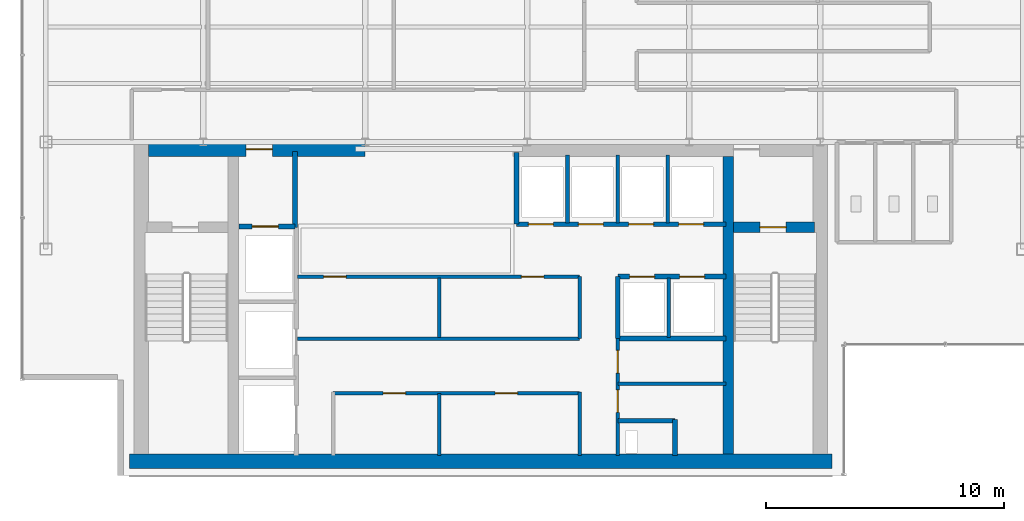
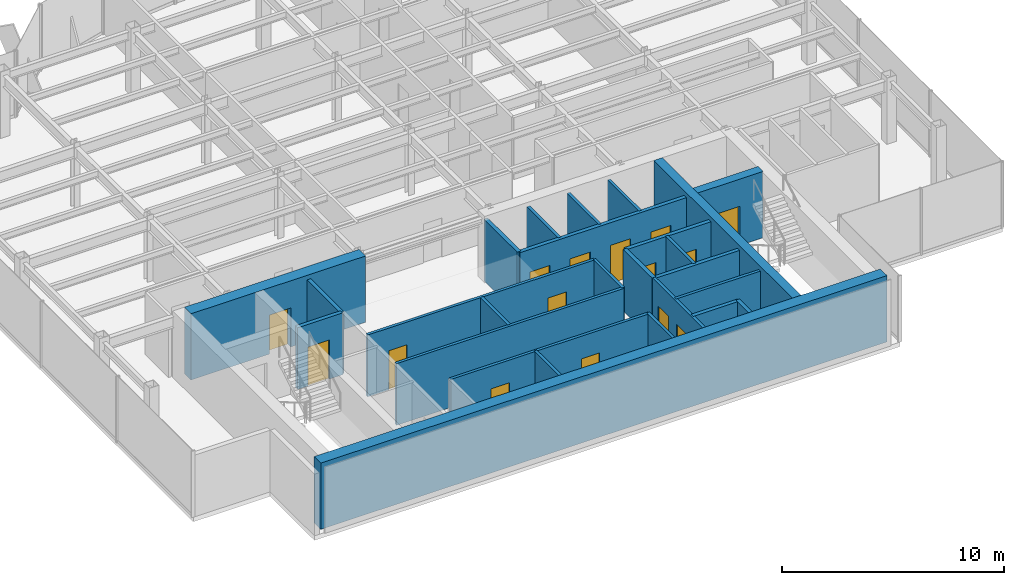
# One storey, part 17 of 22: 26 walls, 15 doors, 15 openings.
"""IFC4 building model written with IfcOpenShell, lengths in metres."""

from ifc_helpers import new_model, si_unit, derived_unit, direction, frame, frame_2d, origin, place, context, subcontext, project, spatial, rectangle, extrude, source, transform, mapped, material, layer, layer_set, type_object, element, fill, save


model = new_model("IFC4")

# Units and contexts
model_context = context("Model", 3, precision=1e-05, world=origin(), true_north=direction((0.0, 1.0)))
body_context = subcontext(model_context, "Body", "Model", "MODEL_VIEW")
ifc_project = project(units=[si_unit("LENGTHUNIT", "METRE"), si_unit("AREAUNIT", "SQUARE_METRE"), si_unit("VOLUMEUNIT", "CUBIC_METRE"), si_unit("PLANEANGLEUNIT", "RADIAN"), si_unit("MASSUNIT", "GRAM", prefix="KILO"), derived_unit("THERMALTRANSMITTANCEUNIT", [(si_unit("POWERUNIT", "WATT"), 1), (si_unit("LENGTHUNIT", "METRE"), -2), (si_unit("THERMODYNAMICTEMPERATUREUNIT", "KELVIN"), -1)])], contexts=[model_context])

# Site, building, storey
site_placement = place(None, origin())
site = spatial("IfcSite", under=ifc_project, at=site_placement, CompositionType="ELEMENT")
building_placement = place(site_placement, origin())
building = spatial("IfcBuilding", under=site, at=building_placement, Name="Skarnbrae Concourse Arena and Tower", CompositionType="ELEMENT")
storey_placement = place(building_placement, frame((0.0, 0.0, 217.800048828125)))
storey = spatial("IfcBuildingStorey", under=building, at=storey_placement, Name="L56", CompositionType="ELEMENT", Elevation=217.800048828125)

# Wall, opening, door
ifc_material_1 = material(Name="Concrete 50 MPa (C50/60)", Category="concrete")
ifc_layer_1 = layer(ifc_material_1, 0.449951171875)
ifc_layer_set_1 = layer_set([ifc_layer_1], Name="Concrete 50 MPa (C50/60)")
wall_type_1 = type_object("IfcWallType", Name="WALL-CORE-450-C50", PredefinedType="SHEAR", material=ifc_layer_set_1)
shared_shape_1 = source(origin(), body_context, "Body", "SweptSolid", [
    extrude(rectangle(XDim=3.389892578125, YDim=0.449951171875, at=frame_2d((1.69482421875, 0.0))), origin(), (0.0, 0.0, 1.0), 3.64990234375),
])
wall_1_placement = place(storey_placement, frame((29.860107421875, 10.419921875, 0.0), z_axis=(0.0, 0.0, 1.0), x_axis=(1.0, 0.0, 0.0)))
wall_1 = element("IfcWall", 1, at=wall_1_placement, inside=storey, type_object=wall_type_1, Name="L56 Rear core shear wall CW-ST2-N", PredefinedType="SHEAR", context=body_context, shape_type="MappedRepresentation", body=[
    mapped(shared_shape_1, transform((0.0, 0.0, 0.0))),
])
opening_1_placement = place(wall_1_placement, frame((1.10009765625, 0.0, 0.0)))
opening_1 = element("IfcOpeningElement", 2, at=opening_1_placement, cuts=wall_1, Name="Opening DT-03", PredefinedType="OPENING", context=body_context, shape_type="SweptSolid", body=[
    extrude(rectangle(XDim=1.10009765625, YDim=2.14990234375, at=frame_2d((0.550048828125, 1.074951171875))), frame((0.0, 0.23486328125, 0.0), z_axis=(0.0, -1.0, 0.0), x_axis=(1.0, 0.0, 0.0)), (0.0, 0.0, 1.0), 0.469970703125),
])
ifc_material_2 = material(Name="Steel CSA G40.21 350W", Category="steel")
door_type_1 = type_object("IfcDoorType", Name="DOOR-FIRE-1100-90M", OperationType="NOTDEFINED", PredefinedType="DOOR", material=ifc_material_2)
shared_shape_2 = source(origin(), body_context, "Body", "SweptSolid", [
    extrude(rectangle(XDim=1.10009765625, YDim=2.14990234375, at=frame_2d((0.550048828125, 1.074951171875))), frame((0.0, 0.02490234375, 0.0), z_axis=(0.0, -1.0, 0.0), x_axis=(1.0, 0.0, 0.0)), (0.0, 0.0, 1.0), 0.050048828125),
])
door_1_placement = place(opening_1_placement, frame((1.10009765625, 0.0, 0.0), z_axis=(0.0, 0.0, 1.0), x_axis=(-1.0, 0.0, 0.0)))
door_1 = element("IfcDoor", 3, at=door_1_placement, inside=storey, type_object=door_type_1, Name="D-1702 Stair ST-2 Door", OperationType="SINGLE_SWING_RIGHT", OverallHeight=2.14990234375, OverallWidth=1.10009765625, PredefinedType="DOOR", context=body_context, shape_type="MappedRepresentation", body=[
    mapped(shared_shape_2, transform((0.0, 0.0, 0.0))),
])
fill(opening_1, door_1)

# Wall
ifc_layer_2 = layer(ifc_material_1, 0.60009765625)
ifc_layer_set_2 = layer_set([ifc_layer_2], Name="Concrete 50 MPa (C50/60)")
wall_type_2 = type_object("IfcWallType", Name="WALL-CORE-600-C50", PredefinedType="SHEAR", material=ifc_layer_set_2)
shared_shape_3 = source(origin(), body_context, "Body", "SweptSolid", [
    extrude(rectangle(XDim=29.5, YDim=0.60009765625, at=frame_2d((14.75, 0.0))), origin(), (0.0, 0.0, 1.0), 3.64990234375),
])
wall_2_placement = place(storey_placement, frame((4.5, 0.60009765625, 0.0), z_axis=(0.0, 0.0, 1.0), x_axis=(1.0, 0.0, 0.0)))
element("IfcWall", 4, at=wall_2_placement, inside=storey, type_object=wall_type_2, Name="L56 Rear core shear wall CW-S", PredefinedType="SHEAR", context=body_context, shape_type="MappedRepresentation", body=[
    mapped(shared_shape_3, transform((0.0, 0.0, 0.0))),
])

# Wall, opening, door
shared_shape_4 = source(origin(), body_context, "Body", "SweptSolid", [
    extrude(rectangle(XDim=9.099853515625, YDim=0.60009765625, at=frame_2d((4.5498046875, 0.0))), origin(), (0.0, 0.0, 1.0), 3.64990234375),
])
wall_3_placement = place(storey_placement, frame((5.300048828125, 13.699951171875, 0.0), z_axis=(0.0, 0.0, 1.0), x_axis=(1.0, 0.0, 0.0)))
wall_3 = element("IfcWall", 5, at=wall_3_placement, inside=storey, type_object=wall_type_2, Name="L56 Rear core shear wall CW-NW", PredefinedType="SHEAR", context=body_context, shape_type="MappedRepresentation", body=[
    mapped(shared_shape_4, transform((0.0, 0.0, 0.0))),
])
opening_2_placement = place(wall_3_placement, frame((4.10009765625, 0.0, 0.0)))
opening_2 = element("IfcOpeningElement", 6, at=opening_2_placement, cuts=wall_3, Name="Opening DT-03", PredefinedType="OPENING", context=body_context, shape_type="SweptSolid", body=[
    extrude(rectangle(XDim=1.10009765625, YDim=2.14990234375, at=frame_2d((0.550048828125, 1.074951171875))), frame((0.0, 0.31005859375, 0.0), z_axis=(0.0, -1.0, 0.0), x_axis=(1.0, 0.0, 0.0)), (0.0, 0.0, 1.0), 0.6201171875),
])
door_2_placement = place(opening_2_placement, origin())
door_2 = element("IfcDoor", 7, at=door_2_placement, inside=storey, type_object=door_type_1, Name="D-1703 Firefighting Lobby Exit Door", OperationType="SINGLE_SWING_RIGHT", OverallHeight=2.14990234375, OverallWidth=1.10009765625, PredefinedType="DOOR", context=body_context, shape_type="MappedRepresentation", body=[
    mapped(shared_shape_2, transform((0.0, 0.0, 0.0))),
])
fill(opening_2, door_2)

# Walls
shared_shape_5 = source(origin(), body_context, "Body", "SweptSolid", [
    extrude(rectangle(XDim=12.5, YDim=0.449951171875, at=frame_2d((6.25, 0.0))), origin(), (0.0, 0.0, 1.0), 3.64990234375),
])
wall_4_placement = place(storey_placement, frame((29.635009765625, 0.89990234375, 0.0), z_axis=(0.0, 0.0, 1.0), x_axis=(0.0, 1.0, 0.0)))
element("IfcWall", 8, at=wall_4_placement, inside=storey, type_object=wall_type_1, Name="L56 Rear core shear wall CW-WEB-E", PredefinedType="SHEAR", context=body_context, shape_type="MappedRepresentation", body=[
    mapped(shared_shape_5, transform((0.0, 0.0, 0.0))),
])
ifc_material_3 = material(Name="Gypsum board on cold-formed steel studs", Category="steel")
ifc_layer_3 = layer(ifc_material_3, 0.199951171875)
ifc_layer_set_3 = layer_set([ifc_layer_3], Name="Gypsum board on cold-formed steel studs")
wall_type_3 = type_object("IfcWallType", Name="WALL-PART-200-2HR", PredefinedType="PARTITIONING", material=ifc_layer_set_3)
shared_shape_6 = source(origin(), body_context, "Body", "SweptSolid", [
    extrude(rectangle(XDim=3.18017578125, YDim=0.199951171875, at=frame_2d((1.590087890625, 0.0))), origin(), (0.0, 0.0, 1.0), 3.39990234375),
])
wall_5_placement = place(storey_placement, frame((11.449951171875, 10.419921875, 0.0), z_axis=(0.0, 0.0, 1.0), x_axis=(0.0, 1.0, 0.0)))
element("IfcWall", 9, at=wall_5_placement, inside=storey, type_object=wall_type_3, Name="L56 Interior partition wall W-L56-FFL-E", PredefinedType="PARTITIONING", context=body_context, shape_type="MappedRepresentation", body=[
    mapped(shared_shape_6, transform((0.0, 0.0, 0.0))),
])

# Wall, opening, door
shared_shape_7 = source(origin(), body_context, "Body", "SweptSolid", [
    extrude(rectangle(XDim=2.349853515625, YDim=0.199951171875, at=frame_2d((1.1748046875, 0.0))), origin(), (0.0, 0.0, 1.0), 3.39990234375),
])
wall_6_placement = place(storey_placement, frame((9.10009765625, 10.449951171875, 0.0), z_axis=(0.0, 0.0, 1.0), x_axis=(1.0, 0.0, 0.0)))
wall_6 = element("IfcWall", 10, at=wall_6_placement, inside=storey, type_object=wall_type_3, Name="L56 Interior partition wall W-L56-FL1-N", PredefinedType="PARTITIONING", context=body_context, shape_type="MappedRepresentation", body=[
    mapped(shared_shape_7, transform((0.0, 0.0, 0.0))),
])
opening_3_placement = place(wall_6_placement, frame((0.550048828125, 0.0, 0.0)))
opening_3 = element("IfcOpeningElement", 11, at=opening_3_placement, cuts=wall_6, Name="Opening LD-01", PredefinedType="OPENING", context=body_context, shape_type="SweptSolid", body=[
    extrude(rectangle(XDim=1.10009765625, YDim=2.14990234375, at=frame_2d((0.550048828125, 1.074951171875))), frame((0.0, 0.10986328125, 0.0), z_axis=(0.0, -1.0, 0.0), x_axis=(1.0, 0.0, 0.0)), (0.0, 0.0, 1.0), 0.219970703125),
])
door_type_2 = type_object("IfcDoorType", Name="DOOR-LIFT-SLIDE-1100", OperationType="SLIDING_TO_LEFT", PredefinedType="DOOR", material=ifc_material_2)
door_3_placement = place(opening_3_placement, origin())
door_3 = element("IfcDoor", 12, at=door_3_placement, inside=storey, type_object=door_type_2, Name="D-1705 Firefighting Lift Landing Door FL-01", OperationType="SLIDING_TO_LEFT", OverallHeight=2.14990234375, OverallWidth=1.10009765625, PredefinedType="DOOR", context=body_context, shape_type="MappedRepresentation", body=[
    mapped(shared_shape_2, transform((0.0, 0.0, 0.0))),
])
fill(opening_3, door_3)

# Walls
ifc_layer_4 = layer(ifc_material_3, 0.14990234375)
ifc_layer_set_4 = layer_set([ifc_layer_4], Name="Gypsum board on cold-formed steel studs")
wall_type_4 = type_object("IfcWallType", Name="WALL-PART-150", PredefinedType="PARTITIONING", material=ifc_layer_set_4)
shared_shape_8 = source(origin(), body_context, "Body", "SweptSolid", [
    extrude(rectangle(XDim=2.599853515625, YDim=0.14990234375, at=frame_2d((1.2998046875, 0.0))), origin(), (0.0, 0.0, 1.0), 3.39990234375),
])
wall_7_placement = place(storey_placement, frame((17.5, 0.85009765625, 0.0), z_axis=(0.0, 0.0, 1.0), x_axis=(0.0, 1.0, 0.0)))
element("IfcWall", 13, at=wall_7_placement, inside=storey, type_object=wall_type_4, Name="L56 Interior partition wall W-L56-B1M-C1", PredefinedType="PARTITIONING", context=body_context, shape_type="MappedRepresentation", body=[
    mapped(shared_shape_8, transform((0.0, 0.0, 0.0))),
])
shared_shape_9 = source(origin(), body_context, "Body", "SweptSolid", [
    extrude(rectangle(XDim=2.60009765625, YDim=0.199951171875, at=frame_2d((1.300048828125, 0.0))), origin(), (0.0, 0.0, 1.0), 3.39990234375),
])
wall_8_placement = place(storey_placement, frame((25.0, 5.75, 0.0), z_axis=(0.0, 0.0, 1.0), x_axis=(0.0, 1.0, 0.0)))
element("IfcWall", 14, at=wall_8_placement, inside=storey, type_object=wall_type_3, Name="L56 Interior partition wall W-L56-B3S-W", PredefinedType="PARTITIONING", context=body_context, shape_type="MappedRepresentation", body=[
    mapped(shared_shape_9, transform((0.0, 0.0, 0.0))),
])
shared_shape_10 = source(origin(), body_context, "Body", "SweptSolid", [
    extrude(rectangle(XDim=2.5, YDim=0.14990234375, at=frame_2d((1.25, 0.0))), origin(), (0.0, 0.0, 1.0), 3.39990234375),
])
for number, where, z_axis, x_axis, name in (
    (15, (17.5, 5.800048828125, 0.0), (0.0, 0.0, 1.0), (0.0, 1.0, 0.0), "L56 Interior partition wall W-L56-B2M-MID"),
    (16, (27.139892578125, 5.800048828125, 0.0), (0.0, 0.0, 1.0), (0.0, 1.0, 0.0), "L56 Interior partition wall W-L56-B3S-P1"),
):
    element("IfcWall", number, at=place(storey_placement, frame(where, z_axis=z_axis, x_axis=x_axis)), inside=storey, type_object=wall_type_4, Name=name, PredefinedType="PARTITIONING", context=body_context, shape_type="MappedRepresentation", body=[
        mapped(shared_shape_10, transform((0.0, 0.0, 0.0))),
    ])

# Wall, openings, doors
shared_shape_11 = source(origin(), body_context, "Body", "SweptSolid", [
    extrude(rectangle(XDim=8.800048828125, YDim=0.199951171875, at=frame_2d((4.39990234375, 0.0))), origin(), (0.0, 0.0, 1.0), 3.39990234375),
])
wall_9_placement = place(storey_placement, frame((20.75, 10.550048828125, 0.0), z_axis=(0.0, 0.0, 1.0), x_axis=(1.0, 0.0, 0.0)))
wall_9 = element("IfcWall", 17, at=wall_9_placement, inside=storey, type_object=wall_type_3, Name="L56 Interior partition wall W-L56-B3N-S", PredefinedType="PARTITIONING", context=body_context, shape_type="MappedRepresentation", body=[
    mapped(shared_shape_11, transform((0.0, 0.0, 0.0))),
])
opening_4_placement = place(wall_9_placement, frame((0.5, 0.0, 0.0)))
opening_4 = element("IfcOpeningElement", 18, at=opening_4_placement, cuts=wall_9, Name="Opening LD-04", PredefinedType="OPENING", context=body_context, shape_type="SweptSolid", body=[
    extrude(rectangle(XDim=1.050048828125, YDim=2.14990234375, at=frame_2d((0.52490234375, 1.074951171875))), frame((0.0, 0.10986328125, 0.0), z_axis=(0.0, -1.0, 0.0), x_axis=(1.0, 0.0, 0.0)), (0.0, 0.0, 1.0), 0.219970703125),
])
opening_5_placement = place(wall_9_placement, frame((2.60009765625, 0.0, 0.0)))
opening_5 = element("IfcOpeningElement", 19, at=opening_5_placement, cuts=wall_9, Name="Opening LD-04", PredefinedType="OPENING", context=body_context, shape_type="SweptSolid", body=[
    extrude(rectangle(XDim=1.050048828125, YDim=2.14990234375, at=frame_2d((0.52490234375, 1.074951171875))), frame((0.0, 0.10986328125, 0.0), z_axis=(0.0, -1.0, 0.0), x_axis=(1.0, 0.0, 0.0)), (0.0, 0.0, 1.0), 0.219970703125),
])
opening_6_placement = place(wall_9_placement, frame((4.699951171875, 0.0, 0.0)))
opening_6 = element("IfcOpeningElement", 20, at=opening_6_placement, cuts=wall_9, Name="Opening LD-04", PredefinedType="OPENING", context=body_context, shape_type="SweptSolid", body=[
    extrude(rectangle(XDim=1.050048828125, YDim=2.14990234375, at=frame_2d((0.52490234375, 1.074951171875))), frame((0.0, 0.10986328125, 0.0), z_axis=(0.0, -1.0, 0.0), x_axis=(1.0, 0.0, 0.0)), (0.0, 0.0, 1.0), 0.219970703125),
])
opening_7_placement = place(wall_9_placement, frame((6.800048828125, 0.0, 0.0)))
opening_7 = element("IfcOpeningElement", 21, at=opening_7_placement, cuts=wall_9, Name="Opening LD-04", PredefinedType="OPENING", context=body_context, shape_type="SweptSolid", body=[
    extrude(rectangle(XDim=1.050048828125, YDim=2.14990234375, at=frame_2d((0.52490234375, 1.074951171875))), frame((0.0, 0.10986328125, 0.0), z_axis=(0.0, -1.0, 0.0), x_axis=(1.0, 0.0, 0.0)), (0.0, 0.0, 1.0), 0.219970703125),
])
ifc_material_4 = material(Name="Bronze anodised aluminium 6063-T6", Category="aluminium")
door_type_3 = type_object("IfcDoorType", Name="DOOR-LIFT-SLIDE-1050H", OperationType="SLIDING_TO_LEFT", PredefinedType="DOOR", material=ifc_material_4)
shared_shape_12 = source(origin(), body_context, "Body", "SweptSolid", [
    extrude(rectangle(XDim=1.050048828125, YDim=2.14990234375, at=frame_2d((0.52490234375, 1.074951171875))), frame((0.0, 0.02490234375, 0.0), z_axis=(0.0, -1.0, 0.0), x_axis=(1.0, 0.0, 0.0)), (0.0, 0.0, 1.0), 0.050048828125),
])
door_4_placement = place(opening_4_placement, frame((1.050048828125, 0.0, 0.0), z_axis=(0.0, 0.0, 1.0), x_axis=(-1.0, 0.0, 0.0)))
door_4 = element("IfcDoor", 22, at=door_4_placement, inside=storey, type_object=door_type_3, Name="D-1712 Passenger Lift Landing Door PL-3A", OperationType="SLIDING_TO_LEFT", OverallHeight=2.14990234375, OverallWidth=1.050048828125, PredefinedType="DOOR", context=body_context, shape_type="MappedRepresentation", body=[
    mapped(shared_shape_12, transform((0.0, 0.0, 0.0))),
])
fill(opening_4, door_4)
door_5_placement = place(opening_5_placement, frame((1.050048828125, 0.0, 0.0), z_axis=(0.0, 0.0, 1.0), x_axis=(-1.0, 0.0, 0.0)))
door_5 = element("IfcDoor", 23, at=door_5_placement, inside=storey, type_object=door_type_3, Name="D-1713 Passenger Lift Landing Door PL-3B", OperationType="SLIDING_TO_LEFT", OverallHeight=2.14990234375, OverallWidth=1.050048828125, PredefinedType="DOOR", context=body_context, shape_type="MappedRepresentation", body=[
    mapped(shared_shape_12, transform((0.0, 0.0, 0.0))),
])
fill(opening_5, door_5)
door_6_placement = place(opening_6_placement, frame((1.050048828125, 0.0, 0.0), z_axis=(0.0, 0.0, 1.0), x_axis=(-1.0, 0.0, 0.0)))
door_6 = element("IfcDoor", 24, at=door_6_placement, inside=storey, type_object=door_type_3, Name="D-1714 Passenger Lift Landing Door PL-3C", OperationType="SLIDING_TO_LEFT", OverallHeight=2.14990234375, OverallWidth=1.050048828125, PredefinedType="DOOR", context=body_context, shape_type="MappedRepresentation", body=[
    mapped(shared_shape_12, transform((0.0, 0.0, 0.0))),
])
fill(opening_6, door_6)
door_7_placement = place(opening_7_placement, frame((1.050048828125, 0.0, 0.0), z_axis=(0.0, 0.0, 1.0), x_axis=(-1.0, 0.0, 0.0)))
door_7 = element("IfcDoor", 25, at=door_7_placement, inside=storey, type_object=door_type_3, Name="D-1715 Passenger Lift Landing Door PL-3D", OperationType="SLIDING_TO_LEFT", OverallHeight=2.14990234375, OverallWidth=1.050048828125, PredefinedType="DOOR", context=body_context, shape_type="MappedRepresentation", body=[
    mapped(shared_shape_12, transform((0.0, 0.0, 0.0))),
])
fill(opening_7, door_7)

# Walls
shared_shape_13 = source(origin(), body_context, "Body", "SweptSolid", [
    extrude(rectangle(XDim=3.0, YDim=0.199951171875, at=frame_2d((1.5, 0.0))), origin(), (0.0, 0.0, 1.0), 3.39990234375),
])
wall_10_placement = place(storey_placement, frame((20.75, 10.550048828125, 0.0), z_axis=(0.0, 0.0, 1.0), x_axis=(0.0, 1.0, 0.0)))
element("IfcWall", 26, at=wall_10_placement, inside=storey, type_object=wall_type_3, Name="L56 Interior partition wall W-L56-B3N-W", PredefinedType="PARTITIONING", context=body_context, shape_type="MappedRepresentation", body=[
    mapped(shared_shape_13, transform((0.0, 0.0, 0.0))),
])
shared_shape_14 = source(origin(), body_context, "Body", "SweptSolid", [
    extrude(rectangle(XDim=2.849853515625, YDim=0.14990234375, at=frame_2d((1.4248046875, 0.0))), origin(), (0.0, 0.0, 1.0), 3.39990234375),
])
for number, where, z_axis, x_axis, name in (
    (27, (22.889892578125, 10.60009765625, 0.0), (0.0, 0.0, 1.0), (0.0, 1.0, 0.0), "L56 Interior partition wall W-L56-B3N-P1"),
    (28, (24.989990234375, 10.60009765625, 0.0), (0.0, 0.0, 1.0), (0.0, 1.0, 0.0), "L56 Interior partition wall W-L56-B3N-P2"),
    (29, (27.090087890625, 10.60009765625, 0.0), (0.0, 0.0, 1.0), (0.0, 1.0, 0.0), "L56 Interior partition wall W-L56-B3N-P3"),
):
    element("IfcWall", number, at=place(storey_placement, frame(where, z_axis=z_axis, x_axis=x_axis)), inside=storey, type_object=wall_type_4, Name=name, PredefinedType="PARTITIONING", context=body_context, shape_type="MappedRepresentation", body=[
        mapped(shared_shape_14, transform((0.0, 0.0, 0.0))),
    ])

# Wall, openings, doors
shared_shape_15 = source(origin(), body_context, "Body", "SweptSolid", [
    extrude(rectangle(XDim=4.550048828125, YDim=0.199951171875, at=frame_2d((2.27490234375, 0.0))), origin(), (0.0, 0.0, 1.0), 3.39990234375),
])
wall_11_placement = place(storey_placement, frame((25.0, 8.35009765625, 0.0), z_axis=(0.0, 0.0, 1.0), x_axis=(1.0, 0.0, 0.0)))
wall_11 = element("IfcWall", 30, at=wall_11_placement, inside=storey, type_object=wall_type_3, Name="L56 Interior partition wall W-L56-B3S-N", PredefinedType="PARTITIONING", context=body_context, shape_type="MappedRepresentation", body=[
    mapped(shared_shape_15, transform((0.0, 0.0, 0.0))),
])
opening_8_placement = place(wall_11_placement, frame((0.5, 0.0, 0.0)))
opening_8 = element("IfcOpeningElement", 31, at=opening_8_placement, cuts=wall_11, Name="Opening LD-04", PredefinedType="OPENING", context=body_context, shape_type="SweptSolid", body=[
    extrude(rectangle(XDim=1.050048828125, YDim=2.14990234375, at=frame_2d((0.52490234375, 1.074951171875))), frame((0.0, 0.10986328125, 0.0), z_axis=(0.0, -1.0, 0.0), x_axis=(1.0, 0.0, 0.0)), (0.0, 0.0, 1.0), 0.219970703125),
])
opening_9_placement = place(wall_11_placement, frame((2.60009765625, 0.0, 0.0)))
opening_9 = element("IfcOpeningElement", 32, at=opening_9_placement, cuts=wall_11, Name="Opening LD-04", PredefinedType="OPENING", context=body_context, shape_type="SweptSolid", body=[
    extrude(rectangle(XDim=1.050048828125, YDim=2.14990234375, at=frame_2d((0.52490234375, 1.074951171875))), frame((0.0, 0.10986328125, 0.0), z_axis=(0.0, -1.0, 0.0), x_axis=(1.0, 0.0, 0.0)), (0.0, 0.0, 1.0), 0.219970703125),
])
door_8_placement = place(opening_8_placement, origin())
door_8 = element("IfcDoor", 33, at=door_8_placement, inside=storey, type_object=door_type_3, Name="D-1716 Passenger Lift Landing Door PL-3E", OperationType="SLIDING_TO_LEFT", OverallHeight=2.14990234375, OverallWidth=1.050048828125, PredefinedType="DOOR", context=body_context, shape_type="MappedRepresentation", body=[
    mapped(shared_shape_12, transform((0.0, 0.0, 0.0))),
])
fill(opening_8, door_8)
door_9_placement = place(opening_9_placement, origin())
door_9 = element("IfcDoor", 34, at=door_9_placement, inside=storey, type_object=door_type_3, Name="D-1717 Passenger Lift Landing Door PL-3F", OperationType="SLIDING_TO_LEFT", OverallHeight=2.14990234375, OverallWidth=1.050048828125, PredefinedType="DOOR", context=body_context, shape_type="MappedRepresentation", body=[
    mapped(shared_shape_12, transform((0.0, 0.0, 0.0))),
])
fill(opening_9, door_9)

# Wall
wall_12_placement = place(storey_placement, frame((25.0, 5.75, 0.0), z_axis=(0.0, 0.0, 1.0), x_axis=(1.0, 0.0, 0.0)))
element("IfcWall", 35, at=wall_12_placement, inside=storey, type_object=wall_type_3, Name="L56 Interior partition wall W-L56-B3S-S", PredefinedType="PARTITIONING", context=body_context, shape_type="MappedRepresentation", body=[
    mapped(shared_shape_15, transform((0.0, 0.0, 0.0))),
])

# Wall, openings, doors
ifc_layer_5 = layer(ifc_material_3, 0.14990234375)
ifc_layer_set_5 = layer_set([ifc_layer_5], Name="Gypsum board on cold-formed steel studs")
wall_type_5 = type_object("IfcWallType", Name="WALL-PART-150-1HR", PredefinedType="PARTITIONING", material=ifc_layer_set_5)
shared_shape_16 = source(origin(), body_context, "Body", "SweptSolid", [
    extrude(rectangle(XDim=4.89990234375, YDim=0.14990234375, at=frame_2d((2.449951171875, 0.0))), origin(), (0.0, 0.0, 1.0), 3.39990234375),
])
wall_13_placement = place(storey_placement, frame((25.0, 0.85009765625, 0.0), z_axis=(0.0, 0.0, 1.0), x_axis=(0.0, 1.0, 0.0)))
wall_13 = element("IfcWall", 36, at=wall_13_placement, inside=storey, type_object=wall_type_5, Name="L56 Interior partition wall W-L56-CSV-W", PredefinedType="PARTITIONING", context=body_context, shape_type="MappedRepresentation", body=[
    mapped(shared_shape_16, transform((0.0, 0.0, 0.0))),
])
opening_10_placement = place(wall_13_placement, frame((1.800048828125, 0.0, 0.0)))
opening_10 = element("IfcOpeningElement", 37, at=opening_10_placement, cuts=wall_13, Name="Opening DT-04", PredefinedType="OPENING", context=body_context, shape_type="SweptSolid", body=[
    extrude(rectangle(XDim=0.949951171875, YDim=2.14990234375, at=frame_2d((0.47509765625, 1.074951171875))), frame((0.0, 0.0849609375, 0.0), z_axis=(0.0, -1.0, 0.0), x_axis=(1.0, 0.0, 0.0)), (0.0, 0.0, 1.0), 0.169921875),
])
opening_11_placement = place(wall_13_placement, frame((3.449951171875, 0.0, 0.0)))
opening_11 = element("IfcOpeningElement", 38, at=opening_11_placement, cuts=wall_13, Name="Opening DT-04", PredefinedType="OPENING", context=body_context, shape_type="SweptSolid", body=[
    extrude(rectangle(XDim=0.949951171875, YDim=2.14990234375, at=frame_2d((0.47509765625, 1.074951171875))), frame((0.0, 0.0849609375, 0.0), z_axis=(0.0, -1.0, 0.0), x_axis=(1.0, 0.0, 0.0)), (0.0, 0.0, 1.0), 0.169921875),
])
door_type_4 = type_object("IfcDoorType", Name="DOOR-INT-950-45M", OperationType="NOTDEFINED", PredefinedType="DOOR", material=ifc_material_2)
shared_shape_17 = source(origin(), body_context, "Body", "SweptSolid", [
    extrude(rectangle(XDim=0.949951171875, YDim=2.14990234375, at=frame_2d((0.47509765625, 1.074951171875))), frame((0.0, 0.02490234375, 0.0), z_axis=(0.0, -1.0, 0.0), x_axis=(1.0, 0.0, 0.0)), (0.0, 0.0, 1.0), 0.050048828125),
])
door_10_placement = place(opening_10_placement, origin())
door_10 = element("IfcDoor", 39, at=door_10_placement, inside=storey, type_object=door_type_4, Name="D-1718 Electrical Switch Room Door", OperationType="SINGLE_SWING_LEFT", OverallHeight=2.14990234375, OverallWidth=0.949951171875, PredefinedType="DOOR", context=body_context, shape_type="MappedRepresentation", body=[
    mapped(shared_shape_17, transform((0.0, 0.0, 0.0))),
])
fill(opening_10, door_10)
door_11_placement = place(opening_11_placement, origin())
door_11 = element("IfcDoor", 40, at=door_11_placement, inside=storey, type_object=door_type_4, Name="D-1719 Cleaner Store Door", OperationType="SINGLE_SWING_RIGHT", OverallHeight=2.14990234375, OverallWidth=0.949951171875, PredefinedType="DOOR", context=body_context, shape_type="MappedRepresentation", body=[
    mapped(shared_shape_17, transform((0.0, 0.0, 0.0))),
])
fill(opening_11, door_11)

# Walls
shared_shape_18 = source(origin(), body_context, "Body", "SweptSolid", [
    extrude(rectangle(XDim=2.39990234375, YDim=0.199951171875, at=frame_2d((1.199951171875, 0.0))), origin(), (0.0, 0.0, 1.0), 3.39990234375),
])
wall_14_placement = place(storey_placement, frame((25.0, 2.300048828125, 0.0), z_axis=(0.0, 0.0, 1.0), x_axis=(1.0, 0.0, 0.0)))
element("IfcWall", 41, at=wall_14_placement, inside=storey, type_object=wall_type_3, Name="L56 Interior partition wall W-L56-MEP-N", PredefinedType="PARTITIONING", context=body_context, shape_type="MappedRepresentation", body=[
    mapped(shared_shape_18, transform((0.0, 0.0, 0.0))),
])
shared_shape_19 = source(origin(), body_context, "Body", "SweptSolid", [
    extrude(rectangle(XDim=1.5, YDim=0.199951171875, at=frame_2d((0.75, 0.0))), origin(), (0.0, 0.0, 1.0), 3.39990234375),
])
wall_15_placement = place(storey_placement, frame((27.39990234375, 0.85009765625, 0.0), z_axis=(0.0, 0.0, 1.0), x_axis=(0.0, 1.0, 0.0)))
element("IfcWall", 42, at=wall_15_placement, inside=storey, type_object=wall_type_3, Name="L56 Interior partition wall W-L56-MEP-E", PredefinedType="PARTITIONING", context=body_context, shape_type="MappedRepresentation", body=[
    mapped(shared_shape_19, transform((0.0, 0.0, 0.0))),
])
shared_shape_20 = source(origin(), body_context, "Body", "SweptSolid", [
    extrude(rectangle(XDim=4.550048828125, YDim=0.14990234375, at=frame_2d((2.27490234375, 0.0))), origin(), (0.0, 0.0, 1.0), 3.39990234375),
])
wall_16_placement = place(storey_placement, frame((25.0, 3.85009765625, 0.0), z_axis=(0.0, 0.0, 1.0), x_axis=(1.0, 0.0, 0.0)))
element("IfcWall", 43, at=wall_16_placement, inside=storey, type_object=wall_type_4, Name="L56 Interior partition wall W-L56-CSV-H", PredefinedType="PARTITIONING", context=body_context, shape_type="MappedRepresentation", body=[
    mapped(shared_shape_20, transform((0.0, 0.0, 0.0))),
])
shared_shape_21 = source(origin(), body_context, "Body", "SweptSolid", [
    extrude(rectangle(XDim=2.64990234375, YDim=0.14990234375, at=frame_2d((1.324951171875, 0.0))), origin(), (0.0, 0.0, 1.0), 3.39990234375),
])
wall_17_placement = place(storey_placement, frame((23.39990234375, 0.85009765625, 0.0), z_axis=(0.0, 0.0, 1.0), x_axis=(0.0, 1.0, 0.0)))
element("IfcWall", 44, at=wall_17_placement, inside=storey, type_object=wall_type_5, Name="L56 Interior partition wall W-L56-B1M-E", PredefinedType="PARTITIONING", context=body_context, shape_type="MappedRepresentation", body=[
    mapped(shared_shape_21, transform((0.0, 0.0, 0.0))),
])

# Wall, openings, doors
shared_shape_22 = source(origin(), body_context, "Body", "SweptSolid", [
    extrude(rectangle(XDim=10.349853515625, YDim=0.14990234375, at=frame_2d((5.1748046875, 0.0))), origin(), (0.0, 0.0, 1.0), 3.39990234375),
])
wall_18_placement = place(storey_placement, frame((13.050048828125, 3.449951171875, 0.0), z_axis=(0.0, 0.0, 1.0), x_axis=(1.0, 0.0, 0.0)))
wall_18 = element("IfcWall", 45, at=wall_18_placement, inside=storey, type_object=wall_type_5, Name="L56 Interior partition wall W-L56-B1M-N", PredefinedType="PARTITIONING", context=body_context, shape_type="MappedRepresentation", body=[
    mapped(shared_shape_22, transform((0.0, 0.0, 0.0))),
])
opening_12_placement = place(wall_18_placement, frame((2.10009765625, 0.0, 0.0)))
opening_12 = element("IfcOpeningElement", 46, at=opening_12_placement, cuts=wall_18, Name="Opening DT-04", PredefinedType="OPENING", context=body_context, shape_type="SweptSolid", body=[
    extrude(rectangle(XDim=0.949951171875, YDim=2.14990234375, at=frame_2d((0.47509765625, 1.074951171875))), frame((0.0, 0.0849609375, 0.0), z_axis=(0.0, -1.0, 0.0), x_axis=(1.0, 0.0, 0.0)), (0.0, 0.0, 1.0), 0.169921875),
])
opening_13_placement = place(wall_18_placement, frame((6.800048828125, 0.0, 0.0)))
opening_13 = element("IfcOpeningElement", 47, at=opening_13_placement, cuts=wall_18, Name="Opening DT-04", PredefinedType="OPENING", context=body_context, shape_type="SweptSolid", body=[
    extrude(rectangle(XDim=0.949951171875, YDim=2.14990234375, at=frame_2d((0.47509765625, 1.074951171875))), frame((0.0, 0.0849609375, 0.0), z_axis=(0.0, -1.0, 0.0), x_axis=(1.0, 0.0, 0.0)), (0.0, 0.0, 1.0), 0.169921875),
])
door_12_placement = place(opening_12_placement, origin())
door_12 = element("IfcDoor", 48, at=door_12_placement, inside=storey, type_object=door_type_4, Name="D-1708 Core IT Room Door", OperationType="SINGLE_SWING_LEFT", OverallHeight=2.14990234375, OverallWidth=0.949951171875, PredefinedType="DOOR", context=body_context, shape_type="MappedRepresentation", body=[
    mapped(shared_shape_17, transform((0.0, 0.0, 0.0))),
])
fill(opening_12, door_12)
door_13_placement = place(opening_13_placement, origin())
door_13 = element("IfcDoor", 49, at=door_13_placement, inside=storey, type_object=door_type_4, Name="D-1709 Core Records Store Door", OperationType="SINGLE_SWING_RIGHT", OverallHeight=2.14990234375, OverallWidth=0.949951171875, PredefinedType="DOOR", context=body_context, shape_type="MappedRepresentation", body=[
    mapped(shared_shape_17, transform((0.0, 0.0, 0.0))),
])
fill(opening_13, door_13)

# Wall
shared_shape_23 = source(origin(), body_context, "Body", "SweptSolid", [
    extrude(rectangle(XDim=11.849853515625, YDim=0.14990234375, at=frame_2d((5.9248046875, 0.0))), origin(), (0.0, 0.0, 1.0), 3.39990234375),
])
wall_19_placement = place(storey_placement, frame((11.550048828125, 5.75, 0.0), z_axis=(0.0, 0.0, 1.0), x_axis=(1.0, 0.0, 0.0)))
element("IfcWall", 50, at=wall_19_placement, inside=storey, type_object=wall_type_5, Name="L56 Interior partition wall W-L56-B2M-S", PredefinedType="PARTITIONING", context=body_context, shape_type="MappedRepresentation", body=[
    mapped(shared_shape_23, transform((0.0, 0.0, 0.0))),
])

# Wall, openings, doors
wall_20_placement = place(storey_placement, frame((11.550048828125, 8.35009765625, 0.0), z_axis=(0.0, 0.0, 1.0), x_axis=(1.0, 0.0, 0.0)))
wall_20 = element("IfcWall", 51, at=wall_20_placement, inside=storey, type_object=wall_type_5, Name="L56 Interior partition wall W-L56-B2M-N", PredefinedType="PARTITIONING", context=body_context, shape_type="MappedRepresentation", body=[
    mapped(shared_shape_23, transform((0.0, 0.0, 0.0))),
])
opening_14_placement = place(wall_20_placement, frame((1.10009765625, 0.0, 0.0)))
opening_14 = element("IfcOpeningElement", 52, at=opening_14_placement, cuts=wall_20, Name="Opening DT-04", PredefinedType="OPENING", context=body_context, shape_type="SweptSolid", body=[
    extrude(rectangle(XDim=0.949951171875, YDim=2.14990234375, at=frame_2d((0.47509765625, 1.074951171875))), frame((0.0, 0.0849609375, 0.0), z_axis=(0.0, -1.0, 0.0), x_axis=(1.0, 0.0, 0.0)), (0.0, 0.0, 1.0), 0.169921875),
])
opening_15_placement = place(wall_20_placement, frame((9.39990234375, 0.0, 0.0)))
opening_15 = element("IfcOpeningElement", 53, at=opening_15_placement, cuts=wall_20, Name="Opening DT-04", PredefinedType="OPENING", context=body_context, shape_type="SweptSolid", body=[
    extrude(rectangle(XDim=0.949951171875, YDim=2.14990234375, at=frame_2d((0.47509765625, 1.074951171875))), frame((0.0, 0.0849609375, 0.0), z_axis=(0.0, -1.0, 0.0), x_axis=(1.0, 0.0, 0.0)), (0.0, 0.0, 1.0), 0.169921875),
])
door_14_placement = place(opening_14_placement, origin())
door_14 = element("IfcDoor", 54, at=door_14_placement, inside=storey, type_object=door_type_4, Name="D-1710 High-Zone Data Door", OperationType="SINGLE_SWING_RIGHT", OverallHeight=2.14990234375, OverallWidth=0.949951171875, PredefinedType="DOOR", context=body_context, shape_type="MappedRepresentation", body=[
    mapped(shared_shape_17, transform((0.0, 0.0, 0.0))),
])
fill(opening_14, door_14)
door_15_placement = place(opening_15_placement, origin())
door_15 = element("IfcDoor", 55, at=door_15_placement, inside=storey, type_object=door_type_4, Name="D-1711 Reprographics Door", OperationType="SINGLE_SWING_LEFT", OverallHeight=2.14990234375, OverallWidth=0.949951171875, PredefinedType="DOOR", context=body_context, shape_type="MappedRepresentation", body=[
    mapped(shared_shape_17, transform((0.0, 0.0, 0.0))),
])
fill(opening_15, door_15)

# Wall
shared_shape_24 = source(origin(), body_context, "Body", "SweptSolid", [
    extrude(rectangle(XDim=2.60009765625, YDim=0.14990234375, at=frame_2d((1.300048828125, 0.0))), origin(), (0.0, 0.0, 1.0), 3.39990234375),
])
wall_21_placement = place(storey_placement, frame((23.39990234375, 5.75, 0.0), z_axis=(0.0, 0.0, 1.0), x_axis=(0.0, 1.0, 0.0)))
element("IfcWall", 56, at=wall_21_placement, inside=storey, type_object=wall_type_5, Name="L56 Interior partition wall W-L56-B2M-E", PredefinedType="PARTITIONING", context=body_context, shape_type="MappedRepresentation", body=[
    mapped(shared_shape_24, transform((0.0, 0.0, 0.0))),
])

save(model, "model.ifc")
